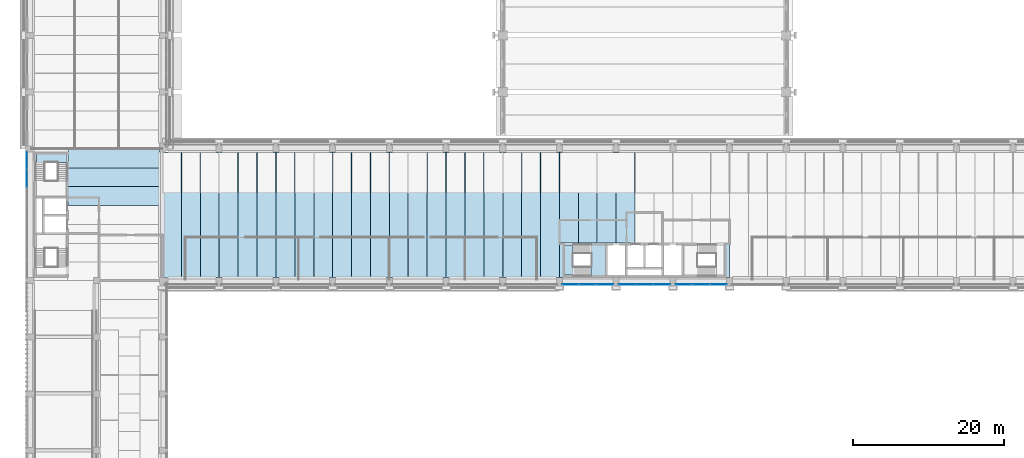
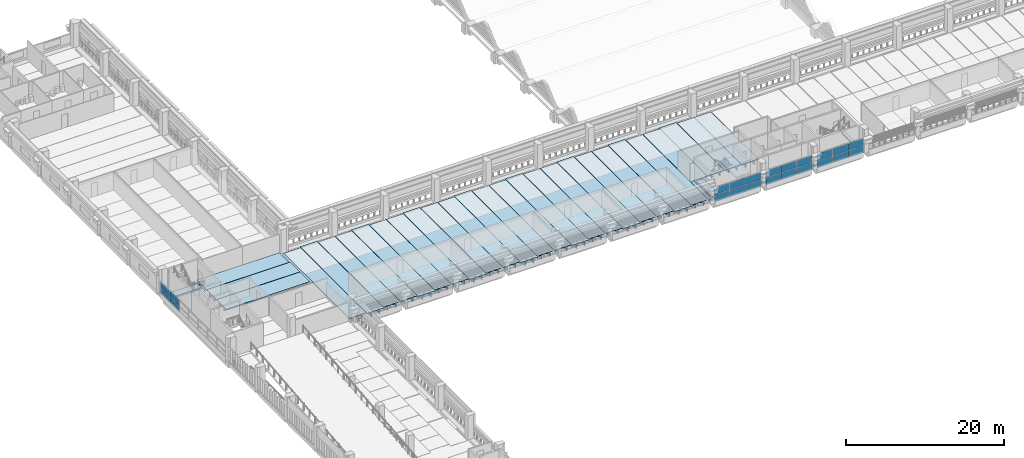
# One storey, part 23 of 71: 32 slabs, 22 plates, 5 elements without a shape of their own.
"""IFC4 building model written with IfcOpenShell, lengths in metres."""

from ifc_helpers import new_model, si_unit, direction, frame, origin, origin_2d, place, context, subcontext, project, spatial, polyline, rectangle, outline, extrude, material, layer, layer_set, material_profile, profile_set, type_object, element, aggregate, save


model = new_model("IFC4")

# Units and contexts
model_context = context("Model", 3, precision=1e-05, world=origin(), true_north=direction((0.0, 1.0)))
body_context = subcontext(model_context, "Body", "Model", "MODEL_VIEW")
ifc_project = project(units=[si_unit("LENGTHUNIT", "METRE"), si_unit("AREAUNIT", "SQUARE_METRE"), si_unit("VOLUMEUNIT", "CUBIC_METRE"), si_unit("PLANEANGLEUNIT", "RADIAN"), si_unit("MASSUNIT", "GRAM", prefix="KILO")], contexts=[model_context])

# Site, building, storey
site_placement = place(None, origin())
site = spatial("IfcSite", under=ifc_project, at=site_placement, CompositionType="ELEMENT")
building_placement = place(site_placement, origin())
building = spatial("IfcBuilding", under=site, at=building_placement, Name="Cour d'Honneur Mobility Palace", CompositionType="ELEMENT")
storey_placement = place(building_placement, frame((0.0, 0.0, 15.60009765625)))
storey = spatial("IfcBuildingStorey", under=building, at=storey_placement, Name="L04", CompositionType="ELEMENT", Elevation=15.60009765625)

# Slabs
ifc_material_1 = material(Name="Concrete C50", Category="concrete")
ifc_layer_1 = layer(ifc_material_1, 0.25)
ifc_layer_set_1 = layer_set([ifc_layer_1], Name="Concrete C50")
slab_type_1 = type_object("IfcSlabType", Name="Cast-in-place Slab 250", PredefinedType="FLOOR", material=ifc_layer_set_1)
slab_1_placement = place(storey_placement, frame((0.0, 0.0, -0.25)))
element("IfcSlab", 1, at=slab_1_placement, inside=storey, type_object=slab_type_1, Name="Cast-in-place slab S1 L04 core", PredefinedType="FLOOR", context=body_context, shape_type="SweptSolid", body=[
    extrude(outline(polyline([(4.675048828125, 60.625), (0.699951171875, 60.625), (0.699951171875, 61.699951171875), (4.675048828125, 61.699951171875), (4.675048828125, 60.625)])), origin(), (0.0, 0.0, 1.0), 0.25),
])
slab_2_placement = place(storey_placement, frame((0.0, 0.0, -0.25)))
element("IfcSlab", 2, at=slab_2_placement, inside=storey, type_object=slab_type_1, Name="Cast-in-place slab S1 L04 core", PredefinedType="FLOOR", context=body_context, shape_type="SweptSolid", body=[
    extrude(outline(polyline([(92.0, 45.39990234375), (92.0, 45.199951171875), (85.300048828125, 45.199951171875), (85.300048828125, 45.39990234375), (84.5, 45.39990234375), (84.5, 45.199951171875), (77.800048828125, 45.199951171875), (77.800048828125, 45.39990234375), (77.0, 45.39990234375), (77.0, 45.199951171875), (70.300048828125, 45.199951171875), (70.300048828125, 45.39990234375), (69.89990234375, 45.39990234375), (69.89990234375, 49.800048828125), (70.35009765625, 49.800048828125), (70.35009765625, 45.449951171875), (91.949951171875, 45.449951171875), (91.949951171875, 49.800048828125), (92.39990234375, 49.800048828125), (92.39990234375, 45.39990234375), (92.0, 45.39990234375)])), origin(), (0.0, 0.0, 1.0), 0.25),
])
slab_3_placement = place(storey_placement, frame((0.0, 0.0, -0.25)))
element("IfcSlab", 3, at=slab_3_placement, inside=storey, type_object=slab_type_1, Name="Cast-in-place slab S1 L04 core", PredefinedType="FLOOR", context=body_context, shape_type="SweptSolid", body=[
    extrude(outline(polyline([(71.675048828125, 49.675048828125), (71.675048828125, 45.699951171875), (70.60009765625, 45.699951171875), (70.60009765625, 49.675048828125), (71.675048828125, 49.675048828125)])), origin(), (0.0, 0.0, 1.0), 0.25),
])

# Curtain wall, plates
ifc_material_2 = material(Name="Aluminium and glass", Category="aluminium")
ifc_layer_2 = layer(ifc_material_2, 0.10009765625)
ifc_layer_set_2 = layer_set([ifc_layer_2], Name="Aluminium and glass")
curtain_wall_type = type_object("IfcCurtainWallType", Name="Curtain wall run", PredefinedType="NOTDEFINED", material=ifc_layer_set_2)
curtain_wall_1_placement = place(storey_placement, origin())
curtain_wall_1 = element("IfcCurtainWall", 4, at=curtain_wall_1_placement, inside=storey, type_object=curtain_wall_type, Name="Curtain wall CW-81", PredefinedType="NOTDEFINED")
ifc_material_3 = material(Name="Double glazing", Category="glass")
ifc_layer_3 = layer(ifc_material_3, 0.028076171875)
ifc_layer_set_3 = layer_set([ifc_layer_3], Name="Double glazing")
plate_type = type_object("IfcPlateType", Name="Curtain wall panel", PredefinedType="CURTAIN_PANEL", material=ifc_layer_set_3)
plate_1_placement = place(storey_placement, frame((71.364990234375, 44.449951171875, 0.059814453125), z_axis=(0.0, 0.0, 1.0), x_axis=(1.0, 0.0, 0.0)))
plate_1 = element("IfcPlate", 5, at=plate_1_placement, type_object=plate_type, Name="CW-81 panel 1.1", PredefinedType="CURTAIN_PANEL", context=body_context, shape_type="SweptSolid", body=[
    extrude(rectangle(XDim=2.2099609375, YDim=0.028076171875, at=origin_2d()), origin(), (0.0, 0.0, 1.0), 1.06005859375),
])
plate_2_placement = place(storey_placement, frame((71.364990234375, 44.449951171875, 1.179931640625), z_axis=(0.0, 0.0, 1.0), x_axis=(1.0, 0.0, 0.0)))
plate_2 = element("IfcPlate", 6, at=plate_2_placement, type_object=plate_type, Name="CW-81 panel 1.2", PredefinedType="CURTAIN_PANEL", context=body_context, shape_type="SweptSolid", body=[
    extrude(rectangle(XDim=2.2099609375, YDim=0.028076171875, at=origin_2d()), origin(), (0.0, 0.0, 1.0), 1.06005859375),
])
plate_3_placement = place(storey_placement, frame((73.64990234375, 44.449951171875, 0.059814453125), z_axis=(0.0, 0.0, 1.0), x_axis=(1.0, 0.0, 0.0)))
plate_3 = element("IfcPlate", 7, at=plate_3_placement, type_object=plate_type, Name="CW-81 panel 2.1", PredefinedType="CURTAIN_PANEL", context=body_context, shape_type="SweptSolid", body=[
    extrude(rectangle(XDim=2.239990234375, YDim=0.028076171875, at=origin_2d()), origin(), (0.0, 0.0, 1.0), 1.06005859375),
])
plate_4_placement = place(storey_placement, frame((73.64990234375, 44.449951171875, 1.179931640625), z_axis=(0.0, 0.0, 1.0), x_axis=(1.0, 0.0, 0.0)))
plate_4 = element("IfcPlate", 8, at=plate_4_placement, type_object=plate_type, Name="CW-81 panel 2.2", PredefinedType="CURTAIN_PANEL", context=body_context, shape_type="SweptSolid", body=[
    extrude(rectangle(XDim=2.239990234375, YDim=0.028076171875, at=origin_2d()), origin(), (0.0, 0.0, 1.0), 1.06005859375),
])
plate_5_placement = place(storey_placement, frame((75.93505859375, 44.449951171875, 0.059814453125), z_axis=(0.0, 0.0, 1.0), x_axis=(1.0, 0.0, 0.0)))
plate_5 = element("IfcPlate", 9, at=plate_5_placement, type_object=plate_type, Name="CW-81 panel 3.1", PredefinedType="CURTAIN_PANEL", context=body_context, shape_type="SweptSolid", body=[
    extrude(rectangle(XDim=2.2099609375, YDim=0.028076171875, at=origin_2d()), origin(), (0.0, 0.0, 1.0), 1.06005859375),
])
plate_6_placement = place(storey_placement, frame((75.93505859375, 44.449951171875, 1.179931640625), z_axis=(0.0, 0.0, 1.0), x_axis=(1.0, 0.0, 0.0)))
plate_6 = element("IfcPlate", 10, at=plate_6_placement, type_object=plate_type, Name="CW-81 panel 3.2", PredefinedType="CURTAIN_PANEL", context=body_context, shape_type="SweptSolid", body=[
    extrude(rectangle(XDim=2.2099609375, YDim=0.028076171875, at=origin_2d()), origin(), (0.0, 0.0, 1.0), 1.06005859375),
])
aggregate(curtain_wall_1, [plate_1, plate_2, plate_3, plate_4, plate_5, plate_6])

curtain_wall_2_placement = place(storey_placement, origin())
curtain_wall_2 = element("IfcCurtainWall", 11, at=curtain_wall_2_placement, inside=storey, type_object=curtain_wall_type, Name="Curtain wall CW-82", PredefinedType="NOTDEFINED")
plate_7_placement = place(storey_placement, frame((78.864990234375, 44.449951171875, 0.059814453125), z_axis=(0.0, 0.0, 1.0), x_axis=(1.0, 0.0, 0.0)))
plate_7 = element("IfcPlate", 12, at=plate_7_placement, type_object=plate_type, Name="CW-82 panel 1.1", PredefinedType="CURTAIN_PANEL", context=body_context, shape_type="SweptSolid", body=[
    extrude(rectangle(XDim=2.2099609375, YDim=0.028076171875, at=origin_2d()), origin(), (0.0, 0.0, 1.0), 1.06005859375),
])
plate_8_placement = place(storey_placement, frame((78.864990234375, 44.449951171875, 1.179931640625), z_axis=(0.0, 0.0, 1.0), x_axis=(1.0, 0.0, 0.0)))
plate_8 = element("IfcPlate", 13, at=plate_8_placement, type_object=plate_type, Name="CW-82 panel 1.2", PredefinedType="CURTAIN_PANEL", context=body_context, shape_type="SweptSolid", body=[
    extrude(rectangle(XDim=2.2099609375, YDim=0.028076171875, at=origin_2d()), origin(), (0.0, 0.0, 1.0), 1.06005859375),
])
plate_9_placement = place(storey_placement, frame((81.14990234375, 44.449951171875, 0.059814453125), z_axis=(0.0, 0.0, 1.0), x_axis=(1.0, 0.0, 0.0)))
plate_9 = element("IfcPlate", 14, at=plate_9_placement, type_object=plate_type, Name="CW-82 panel 2.1", PredefinedType="CURTAIN_PANEL", context=body_context, shape_type="SweptSolid", body=[
    extrude(rectangle(XDim=2.239990234375, YDim=0.028076171875, at=origin_2d()), origin(), (0.0, 0.0, 1.0), 1.06005859375),
])
plate_10_placement = place(storey_placement, frame((81.14990234375, 44.449951171875, 1.179931640625), z_axis=(0.0, 0.0, 1.0), x_axis=(1.0, 0.0, 0.0)))
plate_10 = element("IfcPlate", 15, at=plate_10_placement, type_object=plate_type, Name="CW-82 panel 2.2", PredefinedType="CURTAIN_PANEL", context=body_context, shape_type="SweptSolid", body=[
    extrude(rectangle(XDim=2.239990234375, YDim=0.028076171875, at=origin_2d()), origin(), (0.0, 0.0, 1.0), 1.06005859375),
])
plate_11_placement = place(storey_placement, frame((83.43505859375, 44.449951171875, 0.059814453125), z_axis=(0.0, 0.0, 1.0), x_axis=(1.0, 0.0, 0.0)))
plate_11 = element("IfcPlate", 16, at=plate_11_placement, type_object=plate_type, Name="CW-82 panel 3.1", PredefinedType="CURTAIN_PANEL", context=body_context, shape_type="SweptSolid", body=[
    extrude(rectangle(XDim=2.2099609375, YDim=0.028076171875, at=origin_2d()), origin(), (0.0, 0.0, 1.0), 1.06005859375),
])
plate_12_placement = place(storey_placement, frame((83.43505859375, 44.449951171875, 1.179931640625), z_axis=(0.0, 0.0, 1.0), x_axis=(1.0, 0.0, 0.0)))
plate_12 = element("IfcPlate", 17, at=plate_12_placement, type_object=plate_type, Name="CW-82 panel 3.2", PredefinedType="CURTAIN_PANEL", context=body_context, shape_type="SweptSolid", body=[
    extrude(rectangle(XDim=2.2099609375, YDim=0.028076171875, at=origin_2d()), origin(), (0.0, 0.0, 1.0), 1.06005859375),
])
aggregate(curtain_wall_2, [plate_7, plate_8, plate_9, plate_10, plate_11, plate_12])

curtain_wall_3_placement = place(storey_placement, origin())
curtain_wall_3 = element("IfcCurtainWall", 18, at=curtain_wall_3_placement, inside=storey, type_object=curtain_wall_type, Name="Curtain wall CW-83", PredefinedType="NOTDEFINED")
plate_13_placement = place(storey_placement, frame((86.364990234375, 44.449951171875, 0.059814453125), z_axis=(0.0, 0.0, 1.0), x_axis=(1.0, 0.0, 0.0)))
plate_13 = element("IfcPlate", 19, at=plate_13_placement, type_object=plate_type, Name="CW-83 panel 1.1", PredefinedType="CURTAIN_PANEL", context=body_context, shape_type="SweptSolid", body=[
    extrude(rectangle(XDim=2.2099609375, YDim=0.028076171875, at=origin_2d()), origin(), (0.0, 0.0, 1.0), 1.06005859375),
])
plate_14_placement = place(storey_placement, frame((86.364990234375, 44.449951171875, 1.179931640625), z_axis=(0.0, 0.0, 1.0), x_axis=(1.0, 0.0, 0.0)))
plate_14 = element("IfcPlate", 20, at=plate_14_placement, type_object=plate_type, Name="CW-83 panel 1.2", PredefinedType="CURTAIN_PANEL", context=body_context, shape_type="SweptSolid", body=[
    extrude(rectangle(XDim=2.2099609375, YDim=0.028076171875, at=origin_2d()), origin(), (0.0, 0.0, 1.0), 1.06005859375),
])
plate_15_placement = place(storey_placement, frame((88.64990234375, 44.449951171875, 0.059814453125), z_axis=(0.0, 0.0, 1.0), x_axis=(1.0, 0.0, 0.0)))
plate_15 = element("IfcPlate", 21, at=plate_15_placement, type_object=plate_type, Name="CW-83 panel 2.1", PredefinedType="CURTAIN_PANEL", context=body_context, shape_type="SweptSolid", body=[
    extrude(rectangle(XDim=2.239990234375, YDim=0.028076171875, at=origin_2d()), origin(), (0.0, 0.0, 1.0), 1.06005859375),
])
plate_16_placement = place(storey_placement, frame((88.64990234375, 44.449951171875, 1.179931640625), z_axis=(0.0, 0.0, 1.0), x_axis=(1.0, 0.0, 0.0)))
plate_16 = element("IfcPlate", 22, at=plate_16_placement, type_object=plate_type, Name="CW-83 panel 2.2", PredefinedType="CURTAIN_PANEL", context=body_context, shape_type="SweptSolid", body=[
    extrude(rectangle(XDim=2.239990234375, YDim=0.028076171875, at=origin_2d()), origin(), (0.0, 0.0, 1.0), 1.06005859375),
])
plate_17_placement = place(storey_placement, frame((90.93505859375, 44.449951171875, 0.059814453125), z_axis=(0.0, 0.0, 1.0), x_axis=(1.0, 0.0, 0.0)))
plate_17 = element("IfcPlate", 23, at=plate_17_placement, type_object=plate_type, Name="CW-83 panel 3.1", PredefinedType="CURTAIN_PANEL", context=body_context, shape_type="SweptSolid", body=[
    extrude(rectangle(XDim=2.2099609375, YDim=0.028076171875, at=origin_2d()), origin(), (0.0, 0.0, 1.0), 1.06005859375),
])
plate_18_placement = place(storey_placement, frame((90.93505859375, 44.449951171875, 1.179931640625), z_axis=(0.0, 0.0, 1.0), x_axis=(1.0, 0.0, 0.0)))
plate_18 = element("IfcPlate", 24, at=plate_18_placement, type_object=plate_type, Name="CW-83 panel 3.2", PredefinedType="CURTAIN_PANEL", context=body_context, shape_type="SweptSolid", body=[
    extrude(rectangle(XDim=2.2099609375, YDim=0.028076171875, at=origin_2d()), origin(), (0.0, 0.0, 1.0), 1.06005859375),
])
aggregate(curtain_wall_3, [plate_13, plate_14, plate_15, plate_16, plate_17, plate_18])

curtain_wall_4_placement = place(storey_placement, origin())
curtain_wall_4 = element("IfcCurtainWall", 25, at=curtain_wall_4_placement, inside=storey, type_object=curtain_wall_type, Name="Curtain wall CW-103", PredefinedType="NOTDEFINED")
plate_19_placement = place(storey_placement, frame((-0.550048828125, 60.885009765625, 0.06005859375), z_axis=(0.0, 0.0, 1.0), x_axis=(0.0, -1.0, 0.0)))
plate_19 = element("IfcPlate", 26, at=plate_19_placement, type_object=plate_type, Name="CW-103 panel 1.1", PredefinedType="CURTAIN_PANEL", context=body_context, shape_type="SweptSolid", body=[
    extrude(rectangle(XDim=2.31005859375, YDim=0.028076171875, at=origin_2d()), origin(), (0.0, 0.0, 1.0), 0.860107421875),
])
plate_20_placement = place(storey_placement, frame((-0.550048828125, 60.885009765625, 0.97998046875), z_axis=(0.0, 0.0, 1.0), x_axis=(0.0, -1.0, 0.0)))
plate_20 = element("IfcPlate", 27, at=plate_20_placement, type_object=plate_type, Name="CW-103 panel 1.2", PredefinedType="CURTAIN_PANEL", context=body_context, shape_type="SweptSolid", body=[
    extrude(rectangle(XDim=2.31005859375, YDim=0.028076171875, at=origin_2d()), origin(), (0.0, 0.0, 1.0), 0.860107421875),
])
plate_21_placement = place(storey_placement, frame((-0.550048828125, 58.5, 0.06005859375), z_axis=(0.0, 0.0, 1.0), x_axis=(0.0, -1.0, 0.0)))
plate_21 = element("IfcPlate", 28, at=plate_21_placement, type_object=plate_type, Name="CW-103 panel 2.1", PredefinedType="CURTAIN_PANEL", context=body_context, shape_type="SweptSolid", body=[
    extrude(rectangle(XDim=2.340087890625, YDim=0.028076171875, at=origin_2d()), origin(), (0.0, 0.0, 1.0), 0.860107421875),
])
plate_22_placement = place(storey_placement, frame((-0.550048828125, 58.5, 0.97998046875), z_axis=(0.0, 0.0, 1.0), x_axis=(0.0, -1.0, 0.0)))
plate_22 = element("IfcPlate", 29, at=plate_22_placement, type_object=plate_type, Name="CW-103 panel 2.2", PredefinedType="CURTAIN_PANEL", context=body_context, shape_type="SweptSolid", body=[
    extrude(rectangle(XDim=2.340087890625, YDim=0.028076171875, at=origin_2d()), origin(), (0.0, 0.0, 1.0), 0.860107421875),
])
aggregate(curtain_wall_4, [plate_19, plate_20, plate_21, plate_22])

# Slabs
ifc_material_4 = material(Name="Concrete C45", Category="concrete")
ifc_material_profile_1 = material_profile(ifc_material_4, outline(polyline([(-1.2451171875, 0.0), (1.2451171875, 0.0), (1.2451171875, -0.10009765625), (0.679931640625, -0.10009765625), (0.64990234375, -0.64990234375), (0.550048828125, -0.64990234375), (0.52001953125, -0.10009765625), (-0.52001953125, -0.10009765625), (-0.550048828125, -0.64990234375), (-0.64990234375, -0.64990234375), (-0.679931640625, -0.10009765625), (-1.2451171875, -0.10009765625), (-1.2451171875, 0.0)])), Name="DT 2490x650")
ifc_profile_set_1 = profile_set([ifc_material_profile_1], Name="Concrete C45")
slab_type_2 = type_object("IfcSlabType", Name="DT 2490x650", PredefinedType="FLOOR", material=ifc_profile_set_1)
for number, where, z_axis, x_axis, name in (
    (30, (4.925048828125, 56.14990234375, 0.0), (1.0, 0.0, 0.0), (0.0, 1.0, 0.0), "Double tee DT-JW4 L04"),
    (31, (4.925048828125, 58.64990234375, 0.0), (1.0, 0.0, 0.0), (0.0, 1.0, 0.0), "Double tee DT-JW5 L04"),
):
    element("IfcSlab", number, at=place(storey_placement, frame(where, z_axis=z_axis, x_axis=x_axis)), inside=storey, type_object=slab_type_2, Name=name, PredefinedType="FLOOR", context=body_context, shape_type="SweptSolid", body=[
        extrude(outline(polyline([(-1.2451171875, 0.0), (1.2451171875, 0.0), (1.2451171875, -0.10009765625), (0.679931640625, -0.10009765625), (0.64990234375, -0.64990234375), (0.550048828125, -0.64990234375), (0.52001953125, -0.10009765625), (-0.52001953125, -0.10009765625), (-0.550048828125, -0.64990234375), (-0.64990234375, -0.64990234375), (-0.679931640625, -0.10009765625), (-1.2451171875, -0.10009765625), (-1.2451171875, 0.0)])), origin(), (0.0, 0.0, 1.0), 12.224853515625),
    ])
for number, where, z_axis, x_axis, name in (
    (32, (4.925048828125, 61.14990234375, 0.0), (1.0, 0.0, 0.0), (0.0, 1.0, 0.0), "Double tee DT-JW6 L04"),
    (33, (71.14990234375, 49.925048828125, 0.0), (0.0, 1.0, 0.0), (-1.0, 0.0, 0.0), "Double tee DT-C22 L04"),
):
    element("IfcSlab", number, at=place(storey_placement, frame(where, z_axis=z_axis, x_axis=x_axis)), inside=storey, type_object=slab_type_2, Name=name, PredefinedType="FLOOR", context=body_context, shape_type="SweptSolid", body=[
        extrude(outline(polyline([(-1.2451171875, 0.0), (1.2451171875, 0.0), (1.2451171875, -0.10009765625), (0.679931640625, -0.10009765625), (0.64990234375, -0.64990234375), (0.550048828125, -0.64990234375), (0.52001953125, -0.10009765625), (-0.52001953125, -0.10009765625), (-0.550048828125, -0.64990234375), (-0.64990234375, -0.64990234375), (-0.679931640625, -0.10009765625), (-1.2451171875, -0.10009765625), (-1.2451171875, 0.0)])), origin(), (0.0, 0.0, 1.0), 12.074951171875),
    ])
slab_4_placement = place(storey_placement, frame((73.64990234375, 49.925048828125, 0.0), z_axis=(0.0, 1.0, 0.0), x_axis=(-1.0, 0.0, 0.0)))
element("IfcSlab", 34, at=slab_4_placement, inside=storey, type_object=slab_type_2, Name="Double tee DT-C23 L04", PredefinedType="FLOOR", context=body_context, shape_type="SweptSolid", body=[
    extrude(outline(polyline([(-1.2451171875, 0.0), (1.2451171875, 0.0), (1.2451171875, -0.10009765625), (0.679931640625, -0.10009765625), (0.64990234375, -0.64990234375), (0.550048828125, -0.64990234375), (0.52001953125, -0.10009765625), (-0.52001953125, -0.10009765625), (-0.550048828125, -0.64990234375), (-0.64990234375, -0.64990234375), (-0.679931640625, -0.10009765625), (-1.2451171875, -0.10009765625), (-1.2451171875, 0.0)])), origin(), (0.0, 0.0, 1.0), 12.27490234375),
])
for number, where, z_axis, x_axis, name in (
    (35, (76.14990234375, 49.925048828125, 0.0), (0.0, 1.0, 0.0), (-1.0, 0.0, 0.0), "Double tee DT-C24 L04"),
    (36, (78.64990234375, 49.925048828125, 0.0), (0.0, 1.0, 0.0), (-1.0, 0.0, 0.0), "Double tee DT-C25 L04"),
):
    element("IfcSlab", number, at=place(storey_placement, frame(where, z_axis=z_axis, x_axis=x_axis)), inside=storey, type_object=slab_type_2, Name=name, PredefinedType="FLOOR", context=body_context, shape_type="SweptSolid", body=[
        extrude(outline(polyline([(-1.2451171875, 0.0), (1.2451171875, 0.0), (1.2451171875, -0.10009765625), (0.679931640625, -0.10009765625), (0.64990234375, -0.64990234375), (0.550048828125, -0.64990234375), (0.52001953125, -0.10009765625), (-0.52001953125, -0.10009765625), (-0.550048828125, -0.64990234375), (-0.64990234375, -0.64990234375), (-0.679931640625, -0.10009765625), (-1.2451171875, -0.10009765625), (-1.2451171875, 0.0)])), origin(), (0.0, 0.0, 1.0), 12.074951171875),
    ])
ifc_material_5 = material(Name="Concrete C45", Category="concrete")
ifc_material_profile_2 = material_profile(ifc_material_5, outline(polyline([(-1.2451171875, 0.0), (1.2451171875, 0.0), (1.2451171875, -0.10009765625), (0.679931640625, -0.10009765625), (0.64990234375, -0.75), (0.550048828125, -0.75), (0.52001953125, -0.10009765625), (-0.52001953125, -0.10009765625), (-0.550048828125, -0.75), (-0.64990234375, -0.75), (-0.679931640625, -0.10009765625), (-1.2451171875, -0.10009765625), (-1.2451171875, 0.0)])), Name="DT 2490x750")
ifc_profile_set_2 = profile_set([ifc_material_profile_2], Name="Concrete C45")
slab_type_3 = type_object("IfcSlabType", Name="DT 2490x750", PredefinedType="FLOOR", material=ifc_profile_set_2)
slab_5_placement = place(storey_placement, frame((18.64990234375, 45.39990234375, 0.0), z_axis=(0.0, 1.0, 0.0), x_axis=(-1.0, 0.0, 0.0)))
element("IfcSlab", 37, at=slab_5_placement, inside=storey, type_object=slab_type_3, Name="Double tee DT-C1 L04", PredefinedType="FLOOR", context=body_context, shape_type="SweptSolid", body=[
    extrude(outline(polyline([(-1.2451171875, 0.0), (1.2451171875, 0.0), (1.2451171875, -0.10009765625), (0.679931640625, -0.10009765625), (0.64990234375, -0.75), (0.550048828125, -0.75), (0.52001953125, -0.10009765625), (-0.52001953125, -0.10009765625), (-0.550048828125, -0.75), (-0.64990234375, -0.75), (-0.679931640625, -0.10009765625), (-1.2451171875, -0.10009765625), (-1.2451171875, 0.0)])), origin(), (0.0, 0.0, 1.0), 16.60009765625),
])
slab_6_placement = place(storey_placement, frame((21.14990234375, 45.199951171875, 0.0), z_axis=(0.0, 1.0, 0.0), x_axis=(-1.0, 0.0, 0.0)))
element("IfcSlab", 38, at=slab_6_placement, inside=storey, type_object=slab_type_3, Name="Double tee DT-C2 L04", PredefinedType="FLOOR", context=body_context, shape_type="SweptSolid", body=[
    extrude(outline(polyline([(-1.2451171875, 0.0), (1.2451171875, 0.0), (1.2451171875, -0.10009765625), (0.679931640625, -0.10009765625), (0.64990234375, -0.75), (0.550048828125, -0.75), (0.52001953125, -0.10009765625), (-0.52001953125, -0.10009765625), (-0.550048828125, -0.75), (-0.64990234375, -0.75), (-0.679931640625, -0.10009765625), (-1.2451171875, -0.10009765625), (-1.2451171875, 0.0)])), origin(), (0.0, 0.0, 1.0), 17.0),
])
for number, where, z_axis, x_axis, name in (
    (39, (23.64990234375, 45.39990234375, 0.0), (0.0, 1.0, 0.0), (-1.0, 0.0, 0.0), "Double tee DT-C3 L04"),
    (40, (26.14990234375, 45.39990234375, 0.0), (0.0, 1.0, 0.0), (-1.0, 0.0, 0.0), "Double tee DT-C4 L04"),
):
    element("IfcSlab", number, at=place(storey_placement, frame(where, z_axis=z_axis, x_axis=x_axis)), inside=storey, type_object=slab_type_3, Name=name, PredefinedType="FLOOR", context=body_context, shape_type="SweptSolid", body=[
        extrude(outline(polyline([(-1.2451171875, 0.0), (1.2451171875, 0.0), (1.2451171875, -0.10009765625), (0.679931640625, -0.10009765625), (0.64990234375, -0.75), (0.550048828125, -0.75), (0.52001953125, -0.10009765625), (-0.52001953125, -0.10009765625), (-0.550048828125, -0.75), (-0.64990234375, -0.75), (-0.679931640625, -0.10009765625), (-1.2451171875, -0.10009765625), (-1.2451171875, 0.0)])), origin(), (0.0, 0.0, 1.0), 16.60009765625),
    ])
slab_7_placement = place(storey_placement, frame((28.64990234375, 45.199951171875, 0.0), z_axis=(0.0, 1.0, 0.0), x_axis=(-1.0, 0.0, 0.0)))
element("IfcSlab", 41, at=slab_7_placement, inside=storey, type_object=slab_type_3, Name="Double tee DT-C5 L04", PredefinedType="FLOOR", context=body_context, shape_type="SweptSolid", body=[
    extrude(outline(polyline([(-1.2451171875, 0.0), (1.2451171875, 0.0), (1.2451171875, -0.10009765625), (0.679931640625, -0.10009765625), (0.64990234375, -0.75), (0.550048828125, -0.75), (0.52001953125, -0.10009765625), (-0.52001953125, -0.10009765625), (-0.550048828125, -0.75), (-0.64990234375, -0.75), (-0.679931640625, -0.10009765625), (-1.2451171875, -0.10009765625), (-1.2451171875, 0.0)])), origin(), (0.0, 0.0, 1.0), 17.0),
])
for number, where, z_axis, x_axis, name in (
    (42, (31.14990234375, 45.39990234375, 0.0), (0.0, 1.0, 0.0), (-1.0, 0.0, 0.0), "Double tee DT-C6 L04"),
    (43, (33.64990234375, 45.39990234375, 0.0), (0.0, 1.0, 0.0), (-1.0, 0.0, 0.0), "Double tee DT-C7 L04"),
):
    element("IfcSlab", number, at=place(storey_placement, frame(where, z_axis=z_axis, x_axis=x_axis)), inside=storey, type_object=slab_type_3, Name=name, PredefinedType="FLOOR", context=body_context, shape_type="SweptSolid", body=[
        extrude(outline(polyline([(-1.2451171875, 0.0), (1.2451171875, 0.0), (1.2451171875, -0.10009765625), (0.679931640625, -0.10009765625), (0.64990234375, -0.75), (0.550048828125, -0.75), (0.52001953125, -0.10009765625), (-0.52001953125, -0.10009765625), (-0.550048828125, -0.75), (-0.64990234375, -0.75), (-0.679931640625, -0.10009765625), (-1.2451171875, -0.10009765625), (-1.2451171875, 0.0)])), origin(), (0.0, 0.0, 1.0), 16.60009765625),
    ])
slab_8_placement = place(storey_placement, frame((36.14990234375, 45.199951171875, 0.0), z_axis=(0.0, 1.0, 0.0), x_axis=(-1.0, 0.0, 0.0)))
element("IfcSlab", 44, at=slab_8_placement, inside=storey, type_object=slab_type_3, Name="Double tee DT-C8 L04", PredefinedType="FLOOR", context=body_context, shape_type="SweptSolid", body=[
    extrude(outline(polyline([(-1.2451171875, 0.0), (1.2451171875, 0.0), (1.2451171875, -0.10009765625), (0.679931640625, -0.10009765625), (0.64990234375, -0.75), (0.550048828125, -0.75), (0.52001953125, -0.10009765625), (-0.52001953125, -0.10009765625), (-0.550048828125, -0.75), (-0.64990234375, -0.75), (-0.679931640625, -0.10009765625), (-1.2451171875, -0.10009765625), (-1.2451171875, 0.0)])), origin(), (0.0, 0.0, 1.0), 17.0),
])
for number, where, z_axis, x_axis, name in (
    (45, (38.64990234375, 45.39990234375, 0.0), (0.0, 1.0, 0.0), (-1.0, 0.0, 0.0), "Double tee DT-C9 L04"),
    (46, (41.14990234375, 45.39990234375, 0.0), (0.0, 1.0, 0.0), (-1.0, 0.0, 0.0), "Double tee DT-C10 L04"),
):
    element("IfcSlab", number, at=place(storey_placement, frame(where, z_axis=z_axis, x_axis=x_axis)), inside=storey, type_object=slab_type_3, Name=name, PredefinedType="FLOOR", context=body_context, shape_type="SweptSolid", body=[
        extrude(outline(polyline([(-1.2451171875, 0.0), (1.2451171875, 0.0), (1.2451171875, -0.10009765625), (0.679931640625, -0.10009765625), (0.64990234375, -0.75), (0.550048828125, -0.75), (0.52001953125, -0.10009765625), (-0.52001953125, -0.10009765625), (-0.550048828125, -0.75), (-0.64990234375, -0.75), (-0.679931640625, -0.10009765625), (-1.2451171875, -0.10009765625), (-1.2451171875, 0.0)])), origin(), (0.0, 0.0, 1.0), 16.60009765625),
    ])
slab_9_placement = place(storey_placement, frame((43.64990234375, 45.199951171875, 0.0), z_axis=(0.0, 1.0, 0.0), x_axis=(-1.0, 0.0, 0.0)))
element("IfcSlab", 47, at=slab_9_placement, inside=storey, type_object=slab_type_3, Name="Double tee DT-C11 L04", PredefinedType="FLOOR", context=body_context, shape_type="SweptSolid", body=[
    extrude(outline(polyline([(-1.2451171875, 0.0), (1.2451171875, 0.0), (1.2451171875, -0.10009765625), (0.679931640625, -0.10009765625), (0.64990234375, -0.75), (0.550048828125, -0.75), (0.52001953125, -0.10009765625), (-0.52001953125, -0.10009765625), (-0.550048828125, -0.75), (-0.64990234375, -0.75), (-0.679931640625, -0.10009765625), (-1.2451171875, -0.10009765625), (-1.2451171875, 0.0)])), origin(), (0.0, 0.0, 1.0), 17.0),
])
for number, where, z_axis, x_axis, name in (
    (48, (46.14990234375, 45.39990234375, 0.0), (0.0, 1.0, 0.0), (-1.0, 0.0, 0.0), "Double tee DT-C12 L04"),
    (49, (48.64990234375, 45.39990234375, 0.0), (0.0, 1.0, 0.0), (-1.0, 0.0, 0.0), "Double tee DT-C13 L04"),
):
    element("IfcSlab", number, at=place(storey_placement, frame(where, z_axis=z_axis, x_axis=x_axis)), inside=storey, type_object=slab_type_3, Name=name, PredefinedType="FLOOR", context=body_context, shape_type="SweptSolid", body=[
        extrude(outline(polyline([(-1.2451171875, 0.0), (1.2451171875, 0.0), (1.2451171875, -0.10009765625), (0.679931640625, -0.10009765625), (0.64990234375, -0.75), (0.550048828125, -0.75), (0.52001953125, -0.10009765625), (-0.52001953125, -0.10009765625), (-0.550048828125, -0.75), (-0.64990234375, -0.75), (-0.679931640625, -0.10009765625), (-1.2451171875, -0.10009765625), (-1.2451171875, 0.0)])), origin(), (0.0, 0.0, 1.0), 16.60009765625),
    ])
slab_10_placement = place(storey_placement, frame((51.14990234375, 45.199951171875, 0.0), z_axis=(0.0, 1.0, 0.0), x_axis=(-1.0, 0.0, 0.0)))
element("IfcSlab", 50, at=slab_10_placement, inside=storey, type_object=slab_type_3, Name="Double tee DT-C14 L04", PredefinedType="FLOOR", context=body_context, shape_type="SweptSolid", body=[
    extrude(outline(polyline([(-1.2451171875, 0.0), (1.2451171875, 0.0), (1.2451171875, -0.10009765625), (0.679931640625, -0.10009765625), (0.64990234375, -0.75), (0.550048828125, -0.75), (0.52001953125, -0.10009765625), (-0.52001953125, -0.10009765625), (-0.550048828125, -0.75), (-0.64990234375, -0.75), (-0.679931640625, -0.10009765625), (-1.2451171875, -0.10009765625), (-1.2451171875, 0.0)])), origin(), (0.0, 0.0, 1.0), 17.0),
])
for number, where, z_axis, x_axis, name in (
    (51, (53.64990234375, 45.39990234375, 0.0), (0.0, 1.0, 0.0), (-1.0, 0.0, 0.0), "Double tee DT-C15 L04"),
    (52, (56.14990234375, 45.39990234375, 0.0), (0.0, 1.0, 0.0), (-1.0, 0.0, 0.0), "Double tee DT-C16 L04"),
):
    element("IfcSlab", number, at=place(storey_placement, frame(where, z_axis=z_axis, x_axis=x_axis)), inside=storey, type_object=slab_type_3, Name=name, PredefinedType="FLOOR", context=body_context, shape_type="SweptSolid", body=[
        extrude(outline(polyline([(-1.2451171875, 0.0), (1.2451171875, 0.0), (1.2451171875, -0.10009765625), (0.679931640625, -0.10009765625), (0.64990234375, -0.75), (0.550048828125, -0.75), (0.52001953125, -0.10009765625), (-0.52001953125, -0.10009765625), (-0.550048828125, -0.75), (-0.64990234375, -0.75), (-0.679931640625, -0.10009765625), (-1.2451171875, -0.10009765625), (-1.2451171875, 0.0)])), origin(), (0.0, 0.0, 1.0), 16.60009765625),
    ])
slab_11_placement = place(storey_placement, frame((58.64990234375, 45.199951171875, 0.0), z_axis=(0.0, 1.0, 0.0), x_axis=(-1.0, 0.0, 0.0)))
element("IfcSlab", 53, at=slab_11_placement, inside=storey, type_object=slab_type_3, Name="Double tee DT-C17 L04", PredefinedType="FLOOR", context=body_context, shape_type="SweptSolid", body=[
    extrude(outline(polyline([(-1.2451171875, 0.0), (1.2451171875, 0.0), (1.2451171875, -0.10009765625), (0.679931640625, -0.10009765625), (0.64990234375, -0.75), (0.550048828125, -0.75), (0.52001953125, -0.10009765625), (-0.52001953125, -0.10009765625), (-0.550048828125, -0.75), (-0.64990234375, -0.75), (-0.679931640625, -0.10009765625), (-1.2451171875, -0.10009765625), (-1.2451171875, 0.0)])), origin(), (0.0, 0.0, 1.0), 17.0),
])
for number, where, z_axis, x_axis, name in (
    (54, (61.14990234375, 45.39990234375, 0.0), (0.0, 1.0, 0.0), (-1.0, 0.0, 0.0), "Double tee DT-C18 L04"),
    (55, (63.64990234375, 45.39990234375, 0.0), (0.0, 1.0, 0.0), (-1.0, 0.0, 0.0), "Double tee DT-C19 L04"),
):
    element("IfcSlab", number, at=place(storey_placement, frame(where, z_axis=z_axis, x_axis=x_axis)), inside=storey, type_object=slab_type_3, Name=name, PredefinedType="FLOOR", context=body_context, shape_type="SweptSolid", body=[
        extrude(outline(polyline([(-1.2451171875, 0.0), (1.2451171875, 0.0), (1.2451171875, -0.10009765625), (0.679931640625, -0.10009765625), (0.64990234375, -0.75), (0.550048828125, -0.75), (0.52001953125, -0.10009765625), (-0.52001953125, -0.10009765625), (-0.550048828125, -0.75), (-0.64990234375, -0.75), (-0.679931640625, -0.10009765625), (-1.2451171875, -0.10009765625), (-1.2451171875, 0.0)])), origin(), (0.0, 0.0, 1.0), 16.60009765625),
    ])
slab_12_placement = place(storey_placement, frame((66.14990234375, 45.199951171875, 0.0), z_axis=(0.0, 1.0, 0.0), x_axis=(-1.0, 0.0, 0.0)))
element("IfcSlab", 56, at=slab_12_placement, inside=storey, type_object=slab_type_3, Name="Double tee DT-C20 L04", PredefinedType="FLOOR", context=body_context, shape_type="SweptSolid", body=[
    extrude(outline(polyline([(-1.2451171875, 0.0), (1.2451171875, 0.0), (1.2451171875, -0.10009765625), (0.679931640625, -0.10009765625), (0.64990234375, -0.75), (0.550048828125, -0.75), (0.52001953125, -0.10009765625), (-0.52001953125, -0.10009765625), (-0.550048828125, -0.75), (-0.64990234375, -0.75), (-0.679931640625, -0.10009765625), (-1.2451171875, -0.10009765625), (-1.2451171875, 0.0)])), origin(), (0.0, 0.0, 1.0), 17.0),
])
slab_13_placement = place(storey_placement, frame((68.64990234375, 45.39990234375, 0.0), z_axis=(0.0, 1.0, 0.0), x_axis=(-1.0, 0.0, 0.0)))
element("IfcSlab", 57, at=slab_13_placement, inside=storey, type_object=slab_type_3, Name="Double tee DT-C21 L04", PredefinedType="FLOOR", context=body_context, shape_type="SweptSolid", body=[
    extrude(outline(polyline([(-1.2451171875, 0.0), (1.2451171875, 0.0), (1.2451171875, -0.10009765625), (0.679931640625, -0.10009765625), (0.64990234375, -0.75), (0.550048828125, -0.75), (0.52001953125, -0.10009765625), (-0.52001953125, -0.10009765625), (-0.550048828125, -0.75), (-0.64990234375, -0.75), (-0.679931640625, -0.10009765625), (-1.2451171875, -0.10009765625), (-1.2451171875, 0.0)])), origin(), (0.0, 0.0, 1.0), 16.60009765625),
])

# Stair, slab
ifc_material_6 = material(Name="Concrete C50", Category="concrete")
stair_type = type_object("IfcStairType", Name="Stair 20 risers", PredefinedType="HALF_TURN_STAIR", material=ifc_material_6)
stair_placement = place(storey_placement, origin())
stair = element("IfcStair", 58, at=stair_placement, inside=storey, type_object=stair_type, Name="Stair ST-CC1", PredefinedType="HALF_TURN_STAIR")
ifc_material_7 = material(Name="Concrete C50", Category="concrete")
ifc_layer_4 = layer(ifc_material_7, 0.199951171875)
ifc_layer_set_4 = layer_set([ifc_layer_4], Name="Concrete C50")
slab_type_4 = type_object("IfcSlabType", Name="Stair landing", PredefinedType="LANDING", material=ifc_layer_set_4)
slab_14_placement = place(storey_placement, frame((0.0, 0.0, 1.64990234375)))
slab_14 = element("IfcSlab", 59, at=slab_14_placement, type_object=slab_type_4, Name="ST-CC1 landing 1", PredefinedType="LANDING", context=body_context, shape_type="SweptSolid", body=[
    extrude(outline(polyline([(74.10498046875, 45.574951171875), (76.10009765625, 45.574951171875), (76.10009765625, 49.800048828125), (74.10498046875, 49.800048828125), (74.10498046875, 45.574951171875)])), origin(), (0.0, 0.0, 1.0), 0.199951171875),
])
aggregate(stair, [slab_14])

save(model, "model.ifc")
